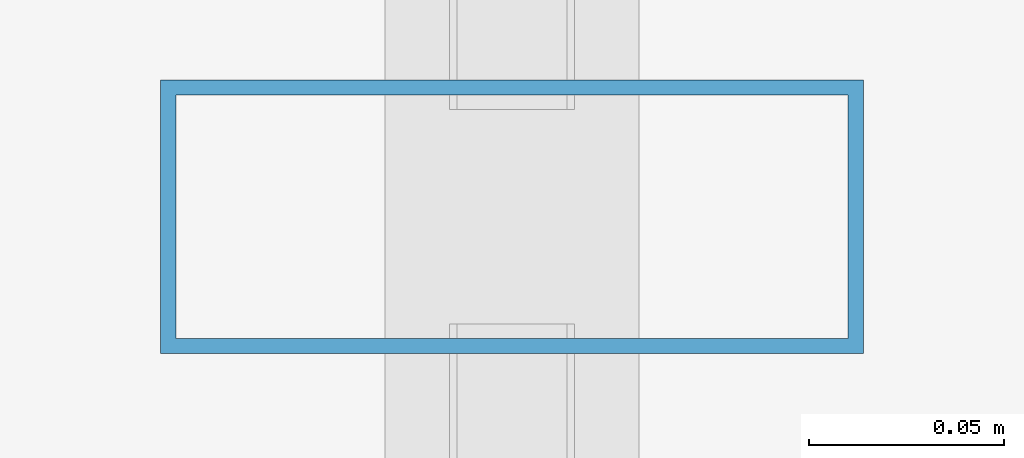
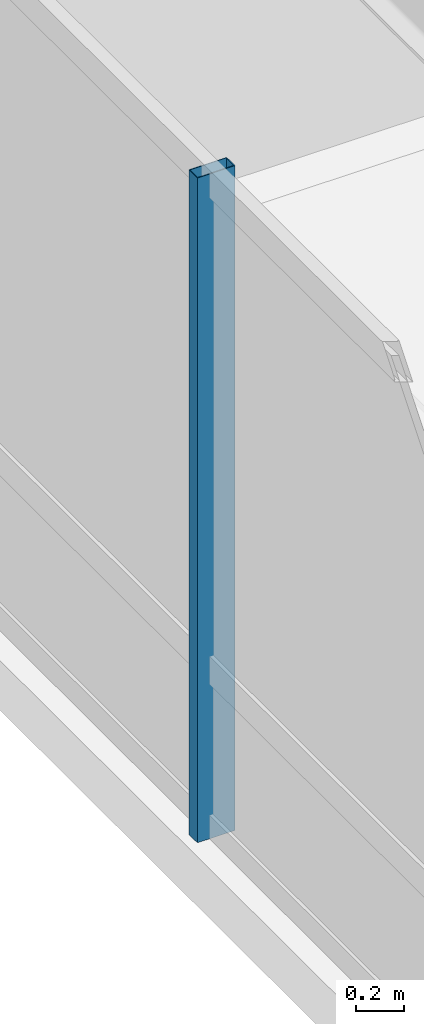
# One storey, part 13 of 29: 1 member, 1 element without a shape of its own.
"""IFC4 building model written with IfcOpenShell, lengths in metres."""

import ifcopenshell
import ifcopenshell.guid

model = None  # the IFC model being written
_history = None  # IfcOwnerHistory: only IFC2X3 demands one
_inside = {}  # id of a spatial element -> (the spatial element, [elements in it])
_under = {}  # id of a project, library or spatial element -> (it, [spatial elements below it])
_declared = {}  # id of a project -> (the project, [libraries it declares])
_typed = {}  # id of a type object -> (the type object, [elements of that type])
_made_of = {}  # id of a material, layer set ... -> (it, [elements and type objects made of it])


def new_model(schema):
    """Start an empty IFC model of exactly this schema.

    Asked for "IFC4X3", IfcOpenShell would pick the latest addendum, in which some entities
    have other attributes; the version numbers below select the first issue.
    IFC2X3 requires an IfcOwnerHistory on every rooted entity: one is made here for all.
    """
    global model, _history
    if schema == "IFC4X3":
        model = ifcopenshell.file(schema_version=(4, 3, 0, 0))
    else:
        model = ifcopenshell.file(schema=schema)
    _inside.clear()
    _under.clear()
    _declared.clear()
    _typed.clear()
    _made_of.clear()
    _history = None
    if model.schema == "IFC2X3":
        org = make("IfcOrganization", Name="unknown")
        user = make(
            "IfcPersonAndOrganization",
            ThePerson=make("IfcPerson", FamilyName="unknown"),
            TheOrganization=org,
        )
        app = make(
            "IfcApplication",
            ApplicationDeveloper=org,
            Version="unknown",
            ApplicationFullName="unknown",
            ApplicationIdentifier="unknown",
        )
        _history = make(
            "IfcOwnerHistory",
            OwningUser=user,
            OwningApplication=app,
            ChangeAction="ADDED",
            CreationDate=0,
        )
    return model


def make(cls, **values):
    """One entity of the class cls with the attributes given. An attribute that is None is left unset."""
    return model.create_entity(
        cls, **{name: value for name, value in values.items() if value is not None}
    )


def rooted(cls, **values):
    """An entity with a GlobalId (a new one), such as an element, a storey or a relation."""
    return make(cls, GlobalId=ifcopenshell.guid.new(), OwnerHistory=_history, **values)


def si_unit(unit_type, name, prefix=None):
    """IfcSIUnit, for example si_unit("LENGTHUNIT", "METRE", prefix="MILLI")."""
    return make("IfcSIUnit", UnitType=unit_type, Prefix=prefix, Name=name)


def assignment(units):
    """IfcUnitAssignment: the units of a project."""
    return None if units is None else make("IfcUnitAssignment", Units=units)


def point(xyz):
    """IfcCartesianPoint."""
    return None if xyz is None else make("IfcCartesianPoint", Coordinates=xyz)


def direction(xyz):
    """IfcDirection."""
    return None if xyz is None else make("IfcDirection", DirectionRatios=xyz)


def frame(location, z_axis=None, x_axis=None):
    """IfcAxis2Placement3D, a coordinate frame: its origin and axes. An axis left out is left unset."""
    return make(
        "IfcAxis2Placement3D",
        Location=point(location),
        Axis=direction(z_axis),
        RefDirection=direction(x_axis),
    )


def frame_2d(location, x_axis=None):
    """IfcAxis2Placement2D, a coordinate frame in the plane: its origin and x axis."""
    return make(
        "IfcAxis2Placement2D", Location=point(location), RefDirection=direction(x_axis)
    )


def origin():
    """The frame at (0, 0, 0) with its axes left unset."""
    return frame((0.0, 0.0, 0.0))


def origin_2d():
    """The frame at (0, 0) in the plane with its x axis left unset."""
    return frame_2d((0.0, 0.0))


def place(relative_to, where):
    """IfcLocalPlacement: puts the frame where relative to a parent placement (None: the world)."""
    return make(
        "IfcLocalPlacement", PlacementRelTo=relative_to, RelativePlacement=where
    )


def context(
    kind, dimensions, precision=None, world=None, true_north=None, identifier=None
):
    """IfcGeometricRepresentationContext, for example the 3D "Model" context."""
    return make(
        "IfcGeometricRepresentationContext",
        ContextIdentifier=identifier,
        ContextType=kind,
        CoordinateSpaceDimension=dimensions,
        Precision=precision,
        WorldCoordinateSystem=world,
        TrueNorth=true_north,
    )


def subcontext(parent, identifier, kind, view, scale=None):
    """IfcGeometricRepresentationSubContext, for example "Body" below "Model"."""
    return make(
        "IfcGeometricRepresentationSubContext",
        ContextIdentifier=identifier,
        ContextType=kind,
        ParentContext=parent,
        TargetScale=scale,
        TargetView=view,
    )


def project(units=None, contexts=None):
    """IfcProject with its units and contexts."""
    return rooted(
        "IfcProject",
        Name="project",
        RepresentationContexts=contexts,
        UnitsInContext=assignment(units),
    )


def spatial(cls, under=None, at=None, **own):
    """A site, building, storey or space (cls), placed at a placement, below another one or the project."""
    s = rooted(cls, ObjectPlacement=at, **own)
    if under is not None:
        _under.setdefault(under.id(), (under, []))[1].append(s)
    return s


def profile(cls, at=None, kind="AREA", **sizes):
    """A parametric profile (cls). Its sizes go by their IFC names, for example OverallWidth=200.0."""
    return make(cls, ProfileType=kind, Position=at, **sizes)


def hollow_rectangle(**sizes):
    """IfcRectangleHollowProfileDef."""
    return profile("IfcRectangleHollowProfileDef", **sizes)


def extrude(swept, where, along, depth):
    """IfcExtrudedAreaSolid: the profile swept, set in the frame where, extruded along a direction by depth."""
    return make(
        "IfcExtrudedAreaSolid",
        SweptArea=swept,
        Position=where,
        ExtrudedDirection=direction(along),
        Depth=depth,
    )


def shape(context_of_items, identifier, shape_type, items):
    """IfcShapeRepresentation: the items that make up one representation, for example the "Body"."""
    return make(
        "IfcShapeRepresentation",
        ContextOfItems=context_of_items,
        RepresentationIdentifier=identifier,
        RepresentationType=shape_type,
        Items=items,
    )


def material(Name=None, Category=None):
    """IfcMaterial."""
    return make("IfcMaterial", Name=Name, Category=Category)


def layer(
    of_material, thickness, ventilated=None, Name=None, Category=None, Priority=None
):
    """IfcMaterialLayer: one layer of a wall or slab, of a material (None: an air gap)."""
    return make(
        "IfcMaterialLayer",
        Material=of_material,
        LayerThickness=thickness,
        IsVentilated=ventilated,
        Name=Name,
        Category=Category,
        Priority=Priority,
    )


def layer_set(layers, Name=None):
    """IfcMaterialLayerSet."""
    return make("IfcMaterialLayerSet", MaterialLayers=layers, LayerSetName=Name)


def material_profile(
    of_material, cross_section, Name=None, Category=None, Priority=None
):
    """IfcMaterialProfile: a cross section and its material."""
    return make(
        "IfcMaterialProfile",
        Name=Name,
        Material=of_material,
        Profile=cross_section,
        Priority=Priority,
        Category=Category,
    )


def profile_set(profiles, Name=None, composite=None):
    """IfcMaterialProfileSet."""
    return make(
        "IfcMaterialProfileSet",
        Name=Name,
        MaterialProfiles=profiles,
        CompositeProfile=composite,
    )


def made_of(thing, what):
    """Note that an element or type object is made of a material, layer set ...; save() writes the relation."""
    if what is not None:
        _made_of.setdefault(what.id(), (what, []))[1].append(thing)
    return thing


def type_object(cls, material=None, **own):
    """A type object (cls), such as IfcWallType, which elements share."""
    return made_of(rooted(cls, **own), material)


def element(
    cls,
    number,
    at=None,
    inside=None,
    cuts=None,
    type_object=None,
    material=None,
    context=None,
    identifier="Body",
    shape_type=None,
    held_by="IfcProductDefinitionShape",
    body=None,
    shapes=None,
    **own,
):
    """One element of the class cls, such as IfcWall. Its Tag is "e" and its number.

    at: its placement. inside: the storey or other place that contains it. cuts: it is an
    opening in that element (IfcRelVoidsElement). A single representation is given by context,
    identifier, shape_type and body (its items); several are given by shapes. held_by: the class
    of the entity that holds the representations. save() writes the other relations.
    """
    e = rooted(cls, Tag="e%d" % number, ObjectPlacement=at, **own)
    if body is not None:
        shapes = [shape(context, identifier, shape_type, body)]
    if shapes is not None:
        e.Representation = make(held_by, Representations=shapes)
    if inside is not None:
        _inside.setdefault(inside.id(), (inside, []))[1].append(e)
    if cuts is not None:
        rooted(
            "IfcRelVoidsElement", RelatingBuildingElement=cuts, RelatedOpeningElement=e
        )
    if type_object is not None:
        _typed.setdefault(type_object.id(), (type_object, []))[1].append(e)
    return made_of(e, material)


def aggregate(whole, parts):
    """IfcRelAggregates: a whole, such as a stair, and the parts it consists of."""
    return rooted("IfcRelAggregates", RelatingObject=whole, RelatedObjects=parts)


def save(model, path):
    """Write the relations noted so far, then the file.

    IfcRelAggregates (storeys below a building ...), IfcRelContainedInSpatialStructure (elements
    in a storey), IfcRelDefinesByType, IfcRelAssociatesMaterial and IfcRelDeclares: one each for
    every whole, place, type object, material and project.
    """
    for whole, parts in _under.values():
        aggregate(whole, parts)
    for where, things in _inside.values():
        rooted(
            "IfcRelContainedInSpatialStructure",
            RelatedElements=things,
            RelatingStructure=where,
        )
    for kind, things in _typed.values():
        rooted("IfcRelDefinesByType", RelatedObjects=things, RelatingType=kind)
    for what, things in _made_of.values():
        rooted("IfcRelAssociatesMaterial", RelatedObjects=things, RelatingMaterial=what)
    for by, libraries in _declared.values():
        rooted("IfcRelDeclares", RelatingContext=by, RelatedDefinitions=libraries)
    model.write(path)


model = new_model("IFC4")

# Units and contexts
model_context = context("Model", 3, precision=1e-05, world=origin(), true_north=direction((0.0, 1.0)))
body_context = subcontext(model_context, "Body", "Model", "MODEL_VIEW")
ifc_project = project(units=[si_unit("LENGTHUNIT", "METRE"), si_unit("AREAUNIT", "SQUARE_METRE"), si_unit("VOLUMEUNIT", "CUBIC_METRE"), si_unit("PLANEANGLEUNIT", "RADIAN"), si_unit("MASSUNIT", "GRAM", prefix="KILO")], contexts=[model_context])

# Site, building, storey
site_placement = place(None, origin())
site = spatial("IfcSite", under=ifc_project, at=site_placement, CompositionType="ELEMENT")
building_placement = place(site_placement, origin())
building = spatial("IfcBuilding", under=site, at=building_placement, Name="Hatsunagi Terrace Concourse", CompositionType="ELEMENT")
storey_placement = place(building_placement, frame((0.0, 0.0, 119.25)))
storey = spatial("IfcBuildingStorey", under=building, at=storey_placement, Name="L31", CompositionType="ELEMENT", Elevation=119.25)

# Curtain wall, member
ifc_material_1 = material(Name="Anodised Aluminium Alloy 6063-T5", Category="aluminium")
ifc_layer = layer(ifc_material_1, 0.199951171875)
ifc_layer_set = layer_set([ifc_layer], Name="OfficeZone1_CW03")
curtain_wall_type = type_object("IfcCurtainWallType", Name="OfficeZone1_CW03", PredefinedType="NOTDEFINED", material=ifc_layer_set)
curtain_wall_placement = place(storey_placement, origin())
curtain_wall = element("IfcCurtainWall", 1, at=curtain_wall_placement, inside=storey, type_object=curtain_wall_type, Name="Unitised Curtain Wall CW-03 CW-L31-09", PredefinedType="NOTDEFINED")
ifc_material_2 = material(Name="Anodised Aluminium Alloy 6063-T5", Category="aluminium")
ifc_material_profile = material_profile(ifc_material_2, hollow_rectangle(XDim=0.070068359375, YDim=0.179931640625, WallThickness=0.00390625, at=origin_2d()), Name="ALU-MUL-180x70x4")
ifc_profile_set = profile_set([ifc_material_profile], Name="Anodised Aluminium Alloy 6063-T5")
member_type = type_object("IfcMemberType", Name="CurtainWallMullion_180x70", PredefinedType="MULLION", material=ifc_profile_set)
member_placement = place(storey_placement, frame((9.739990234375, 36.89990234375, 0.0), z_axis=(0.0, 0.0, 1.0), x_axis=(0.0, 1.0, 0.0)))
member = element("IfcMember", 2, at=member_placement, type_object=member_type, Name="Curtain Wall Mullion MUL-02", PredefinedType="MULLION", context=body_context, shape_type="SweptSolid", body=[
    extrude(hollow_rectangle(XDim=0.070068359375, YDim=0.179931640625, WallThickness=0.00390625, at=origin_2d()), origin(), (0.0, 0.0, 1.0), 3.35009765625),
])
aggregate(curtain_wall, [member])

save(model, "model.ifc")
